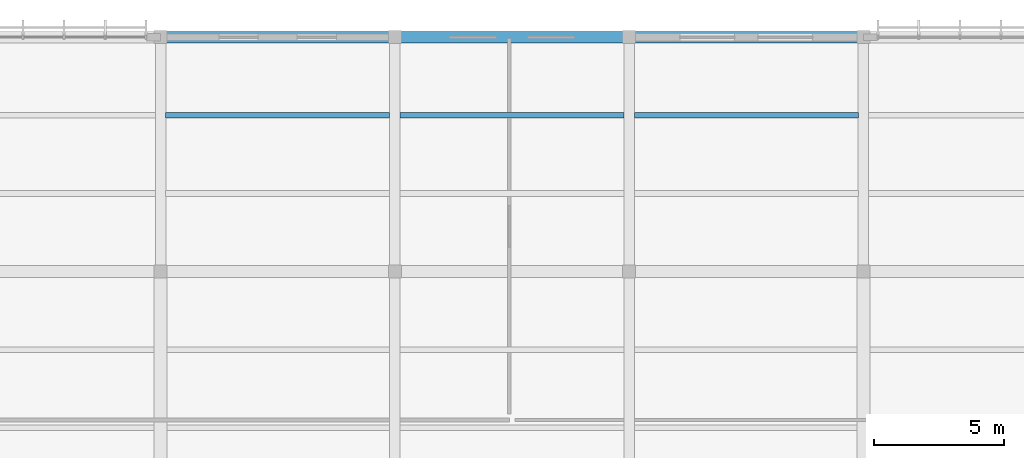
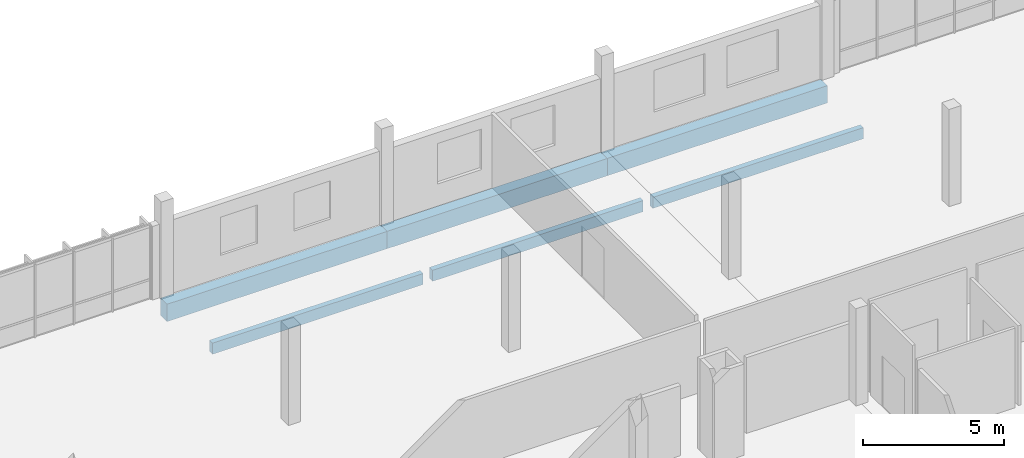
# One storey, part 133 of 182: 6 beams.
"""IFC4 building model written with IfcOpenShell, lengths in metres."""

from ifc_helpers import new_model, si_unit, direction, frame, origin, origin_2d, place, context, subcontext, project, spatial, rectangle, extrude, material, material_profile, profile_set, type_object, element, save


model = new_model("IFC4")

# Units and contexts
model_context = context("Model", 3, precision=1e-05, world=origin(), true_north=direction((0.0, 1.0)))
body_context = subcontext(model_context, "Body", "Model", "MODEL_VIEW")
ifc_project = project(units=[si_unit("LENGTHUNIT", "METRE"), si_unit("AREAUNIT", "SQUARE_METRE"), si_unit("VOLUMEUNIT", "CUBIC_METRE"), si_unit("PLANEANGLEUNIT", "RADIAN"), si_unit("MASSUNIT", "GRAM", prefix="KILO")], contexts=[model_context])

# Site, building, storey
site_placement = place(None, origin())
site = spatial("IfcSite", under=ifc_project, at=site_placement, CompositionType="ELEMENT")
building_placement = place(site_placement, origin())
building = spatial("IfcBuilding", under=site, at=building_placement, Name="Chiffa Square Polytechnic", CompositionType="ELEMENT")
storey_placement = place(building_placement, frame((0.0, 0.0, 9.60009765625)))
storey = spatial("IfcBuildingStorey", under=building, at=storey_placement, Name="L02", CompositionType="ELEMENT", Elevation=9.60009765625)

# Beams
ifc_material_1 = material(Name="Concrete C35/45", Category="concrete")
ifc_material_profile_1 = material_profile(ifc_material_1, rectangle(XDim=0.449951171875, YDim=0.75, at=origin_2d()), Name="RC 450x750")
ifc_profile_set_1 = profile_set([ifc_material_profile_1], Name="Concrete C35/45")
beam_type_1 = type_object("IfcBeamType", Name="BM-RC-450X750", PredefinedType="BEAM", material=ifc_profile_set_1)
for number, where, z_axis, x_axis, name in (
    (1, (66.60009765625, 130.800048828125, -0.695068359375), (1.0, 0.0, 0.0), (0.0, 1.0, 0.0), "Primary floor girder BM-V5-L02-X-0666-1308"),
    (2, (75.60009765625, 130.800048828125, -0.695068359375), (1.0, 0.0, 0.0), (0.0, 1.0, 0.0), "Primary floor girder BM-V5-L02-X-0756-1308"),
    (3, (84.60009765625, 130.800048828125, -0.695068359375), (1.0, 0.0, 0.0), (0.0, 1.0, 0.0), "Primary floor girder BM-V5-L02-X-0846-1308"),
):
    element("IfcBeam", number, at=place(storey_placement, frame(where, z_axis=z_axis, x_axis=x_axis)), inside=storey, type_object=beam_type_1, Name=name, PredefinedType="BEAM", context=body_context, shape_type="SweptSolid", body=[
        extrude(rectangle(XDim=0.449951171875, YDim=0.75, at=origin_2d()), origin(), (0.0, 0.0, 1.0), 9.0),
    ])
ifc_material_2 = material(Name="Glulam GL28h", Category="wood")
ifc_material_profile_2 = material_profile(ifc_material_2, rectangle(XDim=0.219970703125, YDim=0.47998046875, at=origin_2d()), Name="GL28h 220x480")
ifc_profile_set_2 = profile_set([ifc_material_profile_2], Name="Glulam GL28h")
beam_type_2 = type_object("IfcBeamType", Name="JST-GL-220X480", PredefinedType="JOIST", material=ifc_profile_set_2)
for number, where, z_axis, x_axis, name in (
    (4, (66.798095703125, 127.800048828125, -0.56005859375), (1.0, 0.0, 0.0), (0.0, 1.0, 0.0), "Secondary floor joist JST-V5-L02-0666-1278"),
    (5, (75.798095703125, 127.800048828125, -0.56005859375), (1.0, 0.0, 0.0), (0.0, 1.0, 0.0), "Secondary floor joist JST-V5-L02-0756-1278"),
    (6, (84.798095703125, 127.800048828125, -0.56005859375), (1.0, 0.0, 0.0), (0.0, 1.0, 0.0), "Secondary floor joist JST-V5-L02-0846-1278"),
):
    element("IfcBeam", number, at=place(storey_placement, frame(where, z_axis=z_axis, x_axis=x_axis)), inside=storey, type_object=beam_type_2, Name=name, PredefinedType="JOIST", context=body_context, shape_type="SweptSolid", body=[
        extrude(rectangle(XDim=0.219970703125, YDim=0.47998046875, at=origin_2d()), origin(), (0.0, 0.0, 1.0), 8.60400390625),
    ])

save(model, "model.ifc")
